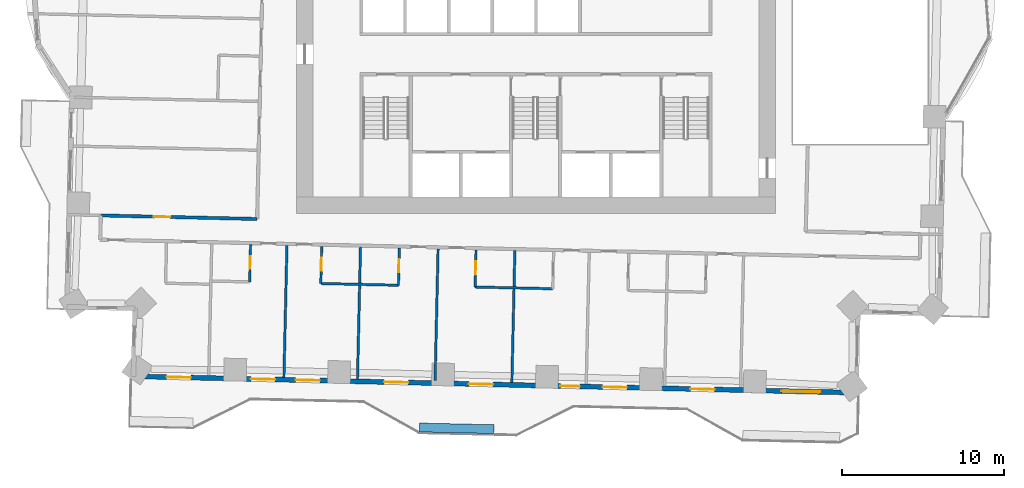
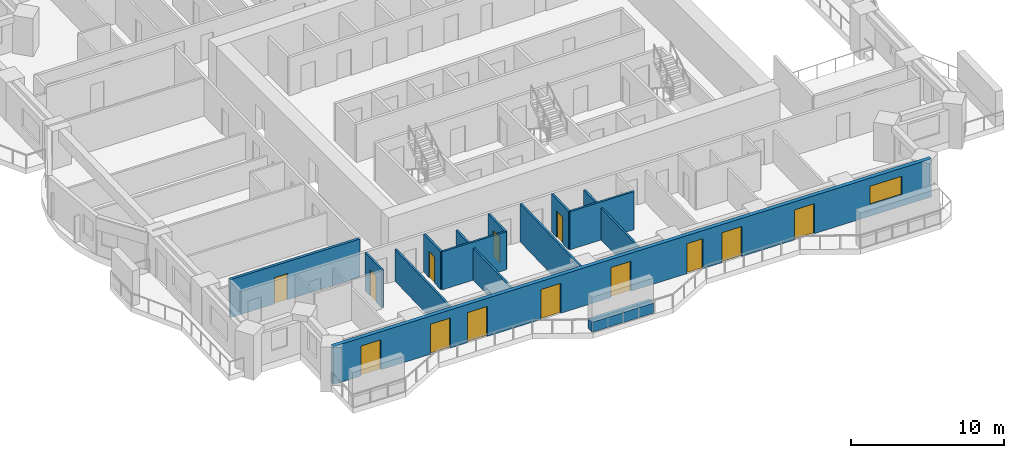
# One storey, part 6 of 16: 13 doors, 13 walls, 1 window, 14 openings.
"""IFC4 building model written with IfcOpenShell, lengths in metres."""

from ifc_helpers import new_model, si_unit, direction, frame, frame_2d, origin, place, context, subcontext, project, spatial, rectangle, extrude, material, layer, layer_set, type_object, element, fill, save


model = new_model("IFC4")

# Units and contexts
model_context = context("Model", 3, precision=1e-05, world=origin(), true_north=direction((0.0, 1.0)))
body_context = subcontext(model_context, "Body", "Model", "MODEL_VIEW")
ifc_project = project(units=[si_unit("LENGTHUNIT", "METRE"), si_unit("AREAUNIT", "SQUARE_METRE"), si_unit("VOLUMEUNIT", "CUBIC_METRE"), si_unit("PLANEANGLEUNIT", "RADIAN"), si_unit("MASSUNIT", "GRAM", prefix="KILO")], contexts=[model_context])

# Site, building, storey
site_placement = place(None, origin())
site = spatial("IfcSite", under=ifc_project, at=site_placement, CompositionType="ELEMENT")
building_placement = place(site_placement, origin())
building = spatial("IfcBuilding", under=site, at=building_placement, Name="Mangrove Gate Tower", CompositionType="ELEMENT")
storey_placement = place(building_placement, frame((0.0, 0.0, 105.5)))
storey = spatial("IfcBuildingStorey", under=building, at=storey_placement, Name="L26", CompositionType="ELEMENT", Elevation=105.5)

# Wall, opening, door
ifc_material_1 = material(Name="Gypsum board on steel stud, EI 60", Category="steel")
ifc_layer_1 = layer(ifc_material_1, 0.199951171875)
ifc_layer_set_1 = layer_set([ifc_layer_1], Name="Corridor wall EI 60")
wall_type_1 = type_object("IfcWallType", Name="Corridor wall EI 60", PredefinedType="PARTITIONING", material=ifc_layer_set_1)
wall_1_placement = place(storey_placement, frame((-26.9189453125, -11.928955078125, 0.0), z_axis=(0.0, 0.0, 1.0), x_axis=(0.999741418429, -0.022739751035, 0.0)))
wall_1 = element("IfcWall", 1, at=wall_1_placement, inside=storey, type_object=wall_type_1, Name="WALL-L26-026", PredefinedType="PARTITIONING", context=body_context, shape_type="SweptSolid", body=[
    extrude(rectangle(XDim=9.67333984375, YDim=0.199951171875, at=frame_2d((4.836669921875, 0.0))), origin(), (0.0, 0.0, 1.0), 3.050048828125),
])
opening_1_placement = place(wall_1_placement, frame((3.287109375, 0.0, 0.0)))
opening_1 = element("IfcOpeningElement", 2, at=opening_1_placement, cuts=wall_1, Name="Opening AD", PredefinedType="OPENING", context=body_context, shape_type="SweptSolid", body=[
    extrude(rectangle(XDim=1.0, YDim=2.10009765625, at=frame_2d((0.5, 1.050048828125))), frame((0.0, 0.10986328125, 0.0), z_axis=(0.0, -1.0, 0.0), x_axis=(1.0, 0.0, 0.0)), (0.0, 0.0, 1.0), 0.219970703125),
])
ifc_material_2 = material(Name="Timber door leaf", Category="wood")
door_type_1 = type_object("IfcDoorType", Name="Amenity door 1000", OperationType="SINGLE_SWING_LEFT", PredefinedType="DOOR", material=ifc_material_2)
door_1_placement = place(opening_1_placement, origin())
door_1 = element("IfcDoor", 3, at=door_1_placement, inside=storey, type_object=door_type_1, Name="DOOR-L26-LNG-c5a", OperationType="SINGLE_SWING_RIGHT", OverallHeight=2.10009765625, OverallWidth=1.0, PredefinedType="DOOR", context=body_context, shape_type="SweptSolid", body=[
    extrude(rectangle(XDim=1.0, YDim=2.10009765625, at=frame_2d((0.5, 1.050048828125))), frame((0.0, 0.02490234375, 0.0), z_axis=(0.0, -1.0, 0.0), x_axis=(1.0, 0.0, 0.0)), (0.0, 0.0, 1.0), 0.050048828125),
])
fill(opening_1, door_1)

# Wall, openings, doors, window
ifc_material_3 = material(Name="Limestone", Category="masonry")
ifc_layer_2 = layer(ifc_material_3, 0.0400390625, Name="Limestone cladding")
ifc_material_4 = material(Name="Ventilated air gap")
ifc_layer_3 = layer(ifc_material_4, 0.0400390625, Name="Ventilated cavity")
ifc_material_5 = material(Name="Mineral wool insulation")
ifc_layer_4 = layer(ifc_material_5, 0.06005859375, Name="Insulation")
ifc_material_6 = material(Name="Breather membrane")
ifc_layer_5 = layer(ifc_material_6, 0.001953125, Name="Breather membrane")
ifc_material_7 = material(Name="Concrete C20/25 blockwork", Category="masonry")
ifc_layer_6 = layer(ifc_material_7, 0.14990234375, Name="Blockwork backing wall")
ifc_material_8 = material(Name="Gypsum plaster")
ifc_layer_7 = layer(ifc_material_8, 0.008056640625, Name="Internal plaster")
ifc_layer_set_2 = layer_set([ifc_layer_2, ifc_layer_3, ifc_layer_4, ifc_layer_5, ifc_layer_6, ifc_layer_7], Name="External wall 300 limestone cladding")
wall_type_2 = type_object("IfcWallType", Name="External wall 300 limestone cladding", PredefinedType="SOLIDWALL", material=ifc_layer_set_2)
wall_2_placement = place(storey_placement, frame((-24.89404296875, -21.8779296875, 0.0), z_axis=(0.0, 0.0, 1.0), x_axis=(0.999742689045, -0.022683820265, 0.0)))
wall_2 = element("IfcWall", 4, at=wall_2_placement, inside=storey, type_object=wall_type_2, Name="WALL-L26-S13", PredefinedType="SOLIDWALL", context=body_context, shape_type="SweptSolid", body=[
    extrude(rectangle(XDim=44.70849609375, YDim=0.300048828125, at=frame_2d((22.354248046875, 0.0))), origin(), (0.0, 0.0, 1.0), 3.050048828125),
])
opening_2_placement = place(wall_2_placement, frame((2.051025390625, 0.0, 0.0)))
opening_2 = element("IfcOpeningElement", 5, at=opening_2_placement, cuts=wall_2, Name="Opening BD1", PredefinedType="OPENING", context=body_context, shape_type="SweptSolid", body=[
    extrude(rectangle(XDim=1.5, YDim=2.39990234375, at=frame_2d((0.75, 1.199951171875))), frame((0.0, 0.159912109375, 0.0), z_axis=(0.0, -1.0, 0.0), x_axis=(1.0, 0.0, 0.0)), (0.0, 0.0, 1.0), 0.320068359375),
])
opening_3_placement = place(wall_2_placement, frame((7.264892578125, 0.0, 0.0)))
opening_3 = element("IfcOpeningElement", 6, at=opening_3_placement, cuts=wall_2, Name="Opening BD1", PredefinedType="OPENING", context=body_context, shape_type="SweptSolid", body=[
    extrude(rectangle(XDim=1.5, YDim=2.39990234375, at=frame_2d((0.75, 1.199951171875))), frame((0.0, 0.159912109375, 0.0), z_axis=(0.0, -1.0, 0.0), x_axis=(1.0, 0.0, 0.0)), (0.0, 0.0, 1.0), 0.320068359375),
])
opening_4_placement = place(wall_2_placement, frame((10.030029296875, 0.0, 0.0)))
opening_4 = element("IfcOpeningElement", 7, at=opening_4_placement, cuts=wall_2, Name="Opening BD1", PredefinedType="OPENING", context=body_context, shape_type="SweptSolid", body=[
    extrude(rectangle(XDim=1.5, YDim=2.39990234375, at=frame_2d((0.75, 1.199951171875))), frame((0.0, 0.159912109375, 0.0), z_axis=(0.0, -1.0, 0.0), x_axis=(1.0, 0.0, 0.0)), (0.0, 0.0, 1.0), 0.320068359375),
])
opening_5_placement = place(wall_2_placement, frame((15.5, 0.0, 0.0)))
opening_5 = element("IfcOpeningElement", 8, at=opening_5_placement, cuts=wall_2, Name="Opening BD1", PredefinedType="OPENING", context=body_context, shape_type="SweptSolid", body=[
    extrude(rectangle(XDim=1.5, YDim=2.39990234375, at=frame_2d((0.75, 1.199951171875))), frame((0.0, 0.159912109375, 0.0), z_axis=(0.0, -1.0, 0.0), x_axis=(1.0, 0.0, 0.0)), (0.0, 0.0, 1.0), 0.320068359375),
])
opening_6_placement = place(wall_2_placement, frame((20.7451171875, 0.0, 0.0)))
opening_6 = element("IfcOpeningElement", 9, at=opening_6_placement, cuts=wall_2, Name="Opening BD1", PredefinedType="OPENING", context=body_context, shape_type="SweptSolid", body=[
    extrude(rectangle(XDim=1.5, YDim=2.39990234375, at=frame_2d((0.75, 1.199951171875))), frame((0.0, 0.159912109375, 0.0), z_axis=(0.0, -1.0, 0.0), x_axis=(1.0, 0.0, 0.0)), (0.0, 0.0, 1.0), 0.320068359375),
])
opening_7_placement = place(wall_2_placement, frame((26.409912109375, 0.0, 0.0)))
opening_7 = element("IfcOpeningElement", 10, at=opening_7_placement, cuts=wall_2, Name="Opening BD2", PredefinedType="OPENING", context=body_context, shape_type="SweptSolid", body=[
    extrude(rectangle(XDim=1.199951171875, YDim=2.39990234375, at=frame_2d((0.60009765625, 1.199951171875))), frame((0.0, 0.159912109375, 0.0), z_axis=(0.0, -1.0, 0.0), x_axis=(1.0, 0.0, 0.0)), (0.0, 0.0, 1.0), 0.320068359375),
])
opening_8_placement = place(wall_2_placement, frame((29.02392578125, 0.0, 0.0)))
opening_8 = element("IfcOpeningElement", 11, at=opening_8_placement, cuts=wall_2, Name="Opening BD1", PredefinedType="OPENING", context=body_context, shape_type="SweptSolid", body=[
    extrude(rectangle(XDim=1.5, YDim=2.39990234375, at=frame_2d((0.75, 1.199951171875))), frame((0.0, 0.159912109375, 0.0), z_axis=(0.0, -1.0, 0.0), x_axis=(1.0, 0.0, 0.0)), (0.0, 0.0, 1.0), 0.320068359375),
])
opening_9_placement = place(wall_2_placement, frame((34.449951171875, 0.0, 0.0)))
opening_9 = element("IfcOpeningElement", 12, at=opening_9_placement, cuts=wall_2, Name="Opening BD1", PredefinedType="OPENING", context=body_context, shape_type="SweptSolid", body=[
    extrude(rectangle(XDim=1.5, YDim=2.39990234375, at=frame_2d((0.75, 1.199951171875))), frame((0.0, 0.159912109375, 0.0), z_axis=(0.0, -1.0, 0.0), x_axis=(1.0, 0.0, 0.0)), (0.0, 0.0, 1.0), 0.320068359375),
])
opening_10_placement = place(wall_2_placement, frame((40.0869140625, 0.0, 0.89990234375)))
opening_10 = element("IfcOpeningElement", 13, at=opening_10_placement, cuts=wall_2, Name="Opening W2", PredefinedType="OPENING", context=body_context, shape_type="SweptSolid", body=[
    extrude(rectangle(XDim=2.39990234375, YDim=1.5, at=frame_2d((1.199951171875, 0.75))), frame((0.0, 0.159912109375, 0.0), z_axis=(0.0, -1.0, 0.0), x_axis=(1.0, 0.0, 0.0)), (0.0, 0.0, 1.0), 0.320068359375),
])
ifc_material_9 = material(Name="Aluminium frame with laminated clear glass", Category="aluminium")
door_type_2 = type_object("IfcDoorType", Name="Balcony sliding door 1200x2400", OperationType="SLIDING_TO_LEFT", PredefinedType="DOOR", material=ifc_material_9)
door_2_placement = place(opening_7_placement, origin())
door_2 = element("IfcDoor", 14, at=door_2_placement, inside=storey, type_object=door_type_2, Name="DOOR-L26-S13-6", OperationType="SLIDING_TO_LEFT", OverallHeight=2.39990234375, OverallWidth=1.199951171875, PredefinedType="DOOR", context=body_context, shape_type="SweptSolid", body=[
    extrude(rectangle(XDim=1.199951171875, YDim=2.39990234375, at=frame_2d((0.60009765625, 1.199951171875))), frame((0.0, 0.02490234375, 0.0), z_axis=(0.0, -1.0, 0.0), x_axis=(1.0, 0.0, 0.0)), (0.0, 0.0, 1.0), 0.050048828125),
])
fill(opening_7, door_2)
ifc_material_10 = material(Name="Aluminium frame with laminated clear glass", Category="aluminium")
door_type_3 = type_object("IfcDoorType", Name="Balcony sliding door 1500x2400", OperationType="SLIDING_TO_LEFT", PredefinedType="DOOR", material=ifc_material_10)
door_3_placement = place(opening_2_placement, origin())
door_3 = element("IfcDoor", 15, at=door_3_placement, inside=storey, type_object=door_type_3, Name="DOOR-L26-S13-1", OperationType="SLIDING_TO_LEFT", OverallHeight=2.39990234375, OverallWidth=1.5, PredefinedType="DOOR", context=body_context, shape_type="SweptSolid", body=[
    extrude(rectangle(XDim=1.5, YDim=2.39990234375, at=frame_2d((0.75, 1.199951171875))), frame((0.0, 0.02490234375, 0.0), z_axis=(0.0, -1.0, 0.0), x_axis=(1.0, 0.0, 0.0)), (0.0, 0.0, 1.0), 0.050048828125),
])
fill(opening_2, door_3)
door_4_placement = place(opening_3_placement, origin())
door_4 = element("IfcDoor", 16, at=door_4_placement, inside=storey, type_object=door_type_3, Name="DOOR-L26-S13-2", OperationType="SLIDING_TO_LEFT", OverallHeight=2.39990234375, OverallWidth=1.5, PredefinedType="DOOR", context=body_context, shape_type="SweptSolid", body=[
    extrude(rectangle(XDim=1.5, YDim=2.39990234375, at=frame_2d((0.75, 1.199951171875))), frame((0.0, 0.02490234375, 0.0), z_axis=(0.0, -1.0, 0.0), x_axis=(1.0, 0.0, 0.0)), (0.0, 0.0, 1.0), 0.050048828125),
])
fill(opening_3, door_4)
door_5_placement = place(opening_4_placement, origin())
door_5 = element("IfcDoor", 17, at=door_5_placement, inside=storey, type_object=door_type_3, Name="DOOR-L26-S13-3", OperationType="SLIDING_TO_LEFT", OverallHeight=2.39990234375, OverallWidth=1.5, PredefinedType="DOOR", context=body_context, shape_type="SweptSolid", body=[
    extrude(rectangle(XDim=1.5, YDim=2.39990234375, at=frame_2d((0.75, 1.199951171875))), frame((0.0, 0.02490234375, 0.0), z_axis=(0.0, -1.0, 0.0), x_axis=(1.0, 0.0, 0.0)), (0.0, 0.0, 1.0), 0.050048828125),
])
fill(opening_4, door_5)
door_6_placement = place(opening_5_placement, origin())
door_6 = element("IfcDoor", 18, at=door_6_placement, inside=storey, type_object=door_type_3, Name="DOOR-L26-S13-4", OperationType="SLIDING_TO_LEFT", OverallHeight=2.39990234375, OverallWidth=1.5, PredefinedType="DOOR", context=body_context, shape_type="SweptSolid", body=[
    extrude(rectangle(XDim=1.5, YDim=2.39990234375, at=frame_2d((0.75, 1.199951171875))), frame((0.0, 0.02490234375, 0.0), z_axis=(0.0, -1.0, 0.0), x_axis=(1.0, 0.0, 0.0)), (0.0, 0.0, 1.0), 0.050048828125),
])
fill(opening_5, door_6)
door_7_placement = place(opening_6_placement, origin())
door_7 = element("IfcDoor", 19, at=door_7_placement, inside=storey, type_object=door_type_3, Name="DOOR-L26-S13-5", OperationType="SLIDING_TO_LEFT", OverallHeight=2.39990234375, OverallWidth=1.5, PredefinedType="DOOR", context=body_context, shape_type="SweptSolid", body=[
    extrude(rectangle(XDim=1.5, YDim=2.39990234375, at=frame_2d((0.75, 1.199951171875))), frame((0.0, 0.02490234375, 0.0), z_axis=(0.0, -1.0, 0.0), x_axis=(1.0, 0.0, 0.0)), (0.0, 0.0, 1.0), 0.050048828125),
])
fill(opening_6, door_7)
door_8_placement = place(opening_8_placement, origin())
door_8 = element("IfcDoor", 20, at=door_8_placement, inside=storey, type_object=door_type_3, Name="DOOR-L26-S13-7", OperationType="SLIDING_TO_LEFT", OverallHeight=2.39990234375, OverallWidth=1.5, PredefinedType="DOOR", context=body_context, shape_type="SweptSolid", body=[
    extrude(rectangle(XDim=1.5, YDim=2.39990234375, at=frame_2d((0.75, 1.199951171875))), frame((0.0, 0.02490234375, 0.0), z_axis=(0.0, -1.0, 0.0), x_axis=(1.0, 0.0, 0.0)), (0.0, 0.0, 1.0), 0.050048828125),
])
fill(opening_8, door_8)
door_9_placement = place(opening_9_placement, origin())
door_9 = element("IfcDoor", 21, at=door_9_placement, inside=storey, type_object=door_type_3, Name="DOOR-L26-S13-8", OperationType="SLIDING_TO_LEFT", OverallHeight=2.39990234375, OverallWidth=1.5, PredefinedType="DOOR", context=body_context, shape_type="SweptSolid", body=[
    extrude(rectangle(XDim=1.5, YDim=2.39990234375, at=frame_2d((0.75, 1.199951171875))), frame((0.0, 0.02490234375, 0.0), z_axis=(0.0, -1.0, 0.0), x_axis=(1.0, 0.0, 0.0)), (0.0, 0.0, 1.0), 0.050048828125),
])
fill(opening_9, door_9)
ifc_material_11 = material(Name="Aluminium frame with double-glazed low-e glass", Category="aluminium")
window_type = type_object("IfcWindowType", Name="Corner room window 2400x1500", PartitioningType="DOUBLE_PANEL_VERTICAL", PredefinedType="WINDOW", material=ifc_material_11)
window_placement = place(opening_10_placement, origin())
window = element("IfcWindow", 22, at=window_placement, inside=storey, type_object=window_type, Name="WIN-L26-S13-9", OverallHeight=1.5, OverallWidth=2.39990234375, PartitioningType="DOUBLE_PANEL_VERTICAL", PredefinedType="WINDOW", context=body_context, shape_type="SweptSolid", body=[
    extrude(rectangle(XDim=2.39990234375, YDim=1.5, at=frame_2d((1.199951171875, 0.75))), frame((0.0, 0.030029296875, 0.0), z_axis=(0.0, -1.0, 0.0), x_axis=(1.0, 0.0, 0.0)), (0.0, 0.0, 1.0), 0.06005859375),
])
fill(opening_10, window)

# Walls
ifc_material_12 = material(Name="Gypsum board on steel stud, EI 60", Category="steel")
ifc_layer_8 = layer(ifc_material_12, 0.14990234375)
ifc_layer_set_3 = layer_set([ifc_layer_8], Name="Party wall 150 EI 60")
wall_type_3 = type_object("IfcWallType", Name="Party wall 150 EI 60", PredefinedType="PARTITIONING", material=ifc_layer_set_3)
for number, where, z_axis, x_axis, name in (
    (23, (-15.589111328125, -21.93896484375, 0.0), (0.0, 0.0, 1.0), (0.022706435224, 0.999742175663, 0.0), "WALL-L26-002"),
    (24, (-11.0400390625, -22.0419921875, 0.0), (0.0, 0.0, 1.0), (0.022706435224, 0.999742175663, 0.0), "WALL-L26-003"),
):
    element("IfcWall", number, at=place(storey_placement, frame(where, z_axis=z_axis, x_axis=x_axis)), inside=storey, type_object=wall_type_3, Name=name, PredefinedType="PARTITIONING", context=body_context, shape_type="SweptSolid", body=[
        extrude(rectangle(XDim=8.150146484375, YDim=0.14990234375, at=frame_2d((4.0751953125, 0.0))), origin(), (0.0, 0.0, 1.0), 2.550048828125),
    ])
wall_3_placement = place(storey_placement, frame((-6.240966796875, -22.15087890625, 0.0), z_axis=(0.0, 0.0, 1.0), x_axis=(0.022706435224, 0.999742175663, 0.0)))
element("IfcWall", 25, at=wall_3_placement, inside=storey, type_object=wall_type_3, Name="WALL-L26-004", PredefinedType="PARTITIONING", context=body_context, shape_type="SweptSolid", body=[
    extrude(rectangle(XDim=8.150146484375, YDim=0.14990234375, at=frame_2d((4.0751953125, 0.0))), origin(), (0.0, 0.0, 1.0), 3.050048828125),
])
wall_4_placement = place(storey_placement, frame((-1.491943359375, -22.259033203125, 0.0), z_axis=(0.0, 0.0, 1.0), x_axis=(0.022706435224, 0.999742175663, 0.0)))
element("IfcWall", 26, at=wall_4_placement, inside=storey, type_object=wall_type_3, Name="WALL-L26-005", PredefinedType="PARTITIONING", context=body_context, shape_type="SweptSolid", body=[
    extrude(rectangle(XDim=8.150146484375, YDim=0.14990234375, at=frame_2d((4.0751953125, 0.0))), origin(), (0.0, 0.0, 1.0), 2.550048828125),
])

# Wall, opening, door
wall_5_placement = place(storey_placement, frame((-17.705078125, -16.0390625, 0.0), z_axis=(0.0, 0.0, 1.0), x_axis=(0.022612884682, 0.999744296031, 0.0)))
wall_5 = element("IfcWall", 27, at=wall_5_placement, inside=storey, type_object=wall_type_3, Name="WALL-L26-012", PredefinedType="PARTITIONING", context=body_context, shape_type="SweptSolid", body=[
    extrude(rectangle(XDim=2.299560546875, YDim=0.14990234375, at=frame_2d((1.14990234375, 0.0))), origin(), (0.0, 0.0, 1.0), 3.050048828125),
])
opening_11_placement = place(wall_5_placement, frame((0.800048828125, 0.0, 0.0)))
opening_11 = element("IfcOpeningElement", 28, at=opening_11_placement, cuts=wall_5, Name="Opening ED", PredefinedType="OPENING", context=body_context, shape_type="SweptSolid", body=[
    extrude(rectangle(XDim=0.800048828125, YDim=2.10009765625, at=frame_2d((0.39990234375, 1.050048828125))), frame((0.0, 0.0849609375, 0.0), z_axis=(0.0, -1.0, 0.0), x_axis=(1.0, 0.0, 0.0)), (0.0, 0.0, 1.0), 0.169921875),
])
ifc_material_13 = material(Name="Timber door leaf", Category="wood")
door_type_4 = type_object("IfcDoorType", Name="En-suite door 800", OperationType="SINGLE_SWING_LEFT", PredefinedType="DOOR", material=ifc_material_13)
door_10_placement = place(opening_11_placement, origin())
door_10 = element("IfcDoor", 29, at=door_10_placement, inside=storey, type_object=door_type_4, Name="DOOR-L26-ENS-c101", OperationType="SINGLE_SWING_LEFT", OverallHeight=2.10009765625, OverallWidth=0.800048828125, PredefinedType="DOOR", context=body_context, shape_type="SweptSolid", body=[
    extrude(rectangle(XDim=0.800048828125, YDim=2.10009765625, at=frame_2d((0.39990234375, 1.050048828125))), frame((0.0, 0.02490234375, 0.0), z_axis=(0.0, -1.0, 0.0), x_axis=(1.0, 0.0, 0.0)), (0.0, 0.0, 1.0), 0.050048828125),
])
fill(opening_11, door_10)

# Wall
wall_6_placement = place(storey_placement, frame((-13.31103515625, -16.138916015625, 0.0), z_axis=(0.0, 0.0, 1.0), x_axis=(0.99974154664, -0.022734113616, 0.0)))
element("IfcWall", 30, at=wall_6_placement, inside=storey, type_object=wall_type_3, Name="WALL-L26-013", PredefinedType="PARTITIONING", context=body_context, shape_type="SweptSolid", body=[
    extrude(rectangle(XDim=4.80029296875, YDim=0.14990234375, at=frame_2d((2.400146484375, 0.0))), origin(), (0.0, 0.0, 1.0), 3.050048828125),
])

# Wall, opening, door
wall_7_placement = place(storey_placement, frame((-13.306884765625, -16.138916015625, 0.0), z_axis=(0.0, 0.0, 1.0), x_axis=(0.023039761813, 0.999734549456, 0.0)))
wall_7 = element("IfcWall", 31, at=wall_7_placement, inside=storey, type_object=wall_type_3, Name="WALL-L26-014", PredefinedType="PARTITIONING", context=body_context, shape_type="SweptSolid", body=[
    extrude(rectangle(XDim=2.299560546875, YDim=0.14990234375, at=frame_2d((1.14990234375, 0.0))), origin(), (0.0, 0.0, 1.0), 3.050048828125),
])
opening_12_placement = place(wall_7_placement, frame((0.800048828125, 0.0, 0.0)))
opening_12 = element("IfcOpeningElement", 32, at=opening_12_placement, cuts=wall_7, Name="Opening ED", PredefinedType="OPENING", context=body_context, shape_type="SweptSolid", body=[
    extrude(rectangle(XDim=0.800048828125, YDim=2.10009765625, at=frame_2d((0.39990234375, 1.050048828125))), frame((0.0, 0.0849609375, 0.0), z_axis=(0.0, -1.0, 0.0), x_axis=(1.0, 0.0, 0.0)), (0.0, 0.0, 1.0), 0.169921875),
])
door_11_placement = place(opening_12_placement, origin())
door_11 = element("IfcDoor", 33, at=door_11_placement, inside=storey, type_object=door_type_4, Name="DOOR-L26-ENS-c102", OperationType="SINGLE_SWING_RIGHT", OverallHeight=2.10009765625, OverallWidth=0.800048828125, PredefinedType="DOOR", context=body_context, shape_type="SweptSolid", body=[
    extrude(rectangle(XDim=0.800048828125, YDim=2.10009765625, at=frame_2d((0.39990234375, 1.050048828125))), frame((0.0, 0.02490234375, 0.0), z_axis=(0.0, -1.0, 0.0), x_axis=(1.0, 0.0, 0.0)), (0.0, 0.0, 1.0), 0.050048828125),
])
fill(opening_12, door_11)

wall_8_placement = place(storey_placement, frame((-8.508056640625, -16.248046875, 0.0), z_axis=(0.0, 0.0, 1.0), x_axis=(0.022603288534, 0.999744513037, 0.0)))
wall_8 = element("IfcWall", 34, at=wall_8_placement, inside=storey, type_object=wall_type_3, Name="WALL-L26-015", PredefinedType="PARTITIONING", context=body_context, shape_type="SweptSolid", body=[
    extrude(rectangle(XDim=2.300537109375, YDim=0.14990234375, at=frame_2d((1.150390625, 0.0))), origin(), (0.0, 0.0, 1.0), 3.050048828125),
])
opening_13_placement = place(wall_8_placement, frame((0.800048828125, 0.0, 0.0)))
opening_13 = element("IfcOpeningElement", 35, at=opening_13_placement, cuts=wall_8, Name="Opening ED", PredefinedType="OPENING", context=body_context, shape_type="SweptSolid", body=[
    extrude(rectangle(XDim=0.800048828125, YDim=2.10009765625, at=frame_2d((0.39990234375, 1.050048828125))), frame((0.0, 0.0849609375, 0.0), z_axis=(0.0, -1.0, 0.0), x_axis=(1.0, 0.0, 0.0)), (0.0, 0.0, 1.0), 0.169921875),
])
door_12_placement = place(opening_13_placement, origin())
door_12 = element("IfcDoor", 36, at=door_12_placement, inside=storey, type_object=door_type_4, Name="DOOR-L26-ENS-c103", OperationType="SINGLE_SWING_LEFT", OverallHeight=2.10009765625, OverallWidth=0.800048828125, PredefinedType="DOOR", context=body_context, shape_type="SweptSolid", body=[
    extrude(rectangle(XDim=0.800048828125, YDim=2.10009765625, at=frame_2d((0.39990234375, 1.050048828125))), frame((0.0, 0.02490234375, 0.0), z_axis=(0.0, -1.0, 0.0), x_axis=(1.0, 0.0, 0.0)), (0.0, 0.0, 1.0), 0.050048828125),
])
fill(opening_13, door_12)

# Wall
wall_9_placement = place(storey_placement, frame((-3.762939453125, -16.35595703125, 0.0), z_axis=(0.0, 0.0, 1.0), x_axis=(0.999746123934, -0.022531925768, 0.0)))
element("IfcWall", 37, at=wall_9_placement, inside=storey, type_object=wall_type_3, Name="WALL-L26-016", PredefinedType="PARTITIONING", context=body_context, shape_type="SweptSolid", body=[
    extrude(rectangle(XDim=4.800048828125, YDim=0.14990234375, at=frame_2d((2.39990234375, 0.0))), origin(), (0.0, 0.0, 1.0), 3.050048828125),
])

# Wall, opening, door
wall_10_placement = place(storey_placement, frame((-3.759033203125, -16.35595703125, 0.0), z_axis=(0.0, 0.0, 1.0), x_axis=(0.022603288534, 0.999744513037, 0.0)))
wall_10 = element("IfcWall", 38, at=wall_10_placement, inside=storey, type_object=wall_type_3, Name="WALL-L26-017", PredefinedType="PARTITIONING", context=body_context, shape_type="SweptSolid", body=[
    extrude(rectangle(XDim=2.300537109375, YDim=0.14990234375, at=frame_2d((1.150390625, 0.0))), origin(), (0.0, 0.0, 1.0), 3.050048828125),
])
opening_14_placement = place(wall_10_placement, frame((0.800048828125, 0.0, 0.0)))
opening_14 = element("IfcOpeningElement", 39, at=opening_14_placement, cuts=wall_10, Name="Opening ED", PredefinedType="OPENING", context=body_context, shape_type="SweptSolid", body=[
    extrude(rectangle(XDim=0.800048828125, YDim=2.10009765625, at=frame_2d((0.39990234375, 1.050048828125))), frame((0.0, 0.0849609375, 0.0), z_axis=(0.0, -1.0, 0.0), x_axis=(1.0, 0.0, 0.0)), (0.0, 0.0, 1.0), 0.169921875),
])
door_13_placement = place(opening_14_placement, origin())
door_13 = element("IfcDoor", 40, at=door_13_placement, inside=storey, type_object=door_type_4, Name="DOOR-L26-ENS-c204", OperationType="SINGLE_SWING_RIGHT", OverallHeight=2.10009765625, OverallWidth=0.800048828125, PredefinedType="DOOR", context=body_context, shape_type="SweptSolid", body=[
    extrude(rectangle(XDim=0.800048828125, YDim=2.10009765625, at=frame_2d((0.39990234375, 1.050048828125))), frame((0.0, 0.02490234375, 0.0), z_axis=(0.0, -1.0, 0.0), x_axis=(1.0, 0.0, 0.0)), (0.0, 0.0, 1.0), 0.050048828125),
])
fill(opening_14, door_13)

# Wall
ifc_material_14 = material(Name="Concrete C32/40", Category="concrete")
ifc_layer_9 = layer(ifc_material_14, 0.199951171875, Name="Planter trough wall")
ifc_material_15 = material(Name="Bituminous waterproofing membrane")
ifc_layer_10 = layer(ifc_material_15, 0.0048828125, Name="Waterproofing")
ifc_material_16 = material(Name="Drainage board and gravel")
ifc_layer_11 = layer(ifc_material_16, 0.044921875, Name="Drainage layer")
ifc_material_17 = material(Name="Planting soil")
ifc_layer_12 = layer(ifc_material_17, 0.300048828125, Name="Growing medium")
ifc_layer_set_4 = layer_set([ifc_layer_9, ifc_layer_10, ifc_layer_11, ifc_layer_12], Name="Planter wall 550 C32/40")
wall_type_4 = type_object("IfcWallType", Name="Planter wall 550 C32/40", PredefinedType="USERDEFINED", material=ifc_layer_set_4)
wall_11_placement = place(storey_placement, frame((-7.20703125, -25.044921875, 0.0), z_axis=(0.0, 0.0, 1.0), x_axis=(0.999744296031, -0.022612884682, 0.0)))
element("IfcWall", 41, at=wall_11_placement, inside=storey, type_object=wall_type_4, Name="PLANTER L26 S0.2", ObjectType="PLANTER", PredefinedType="USERDEFINED", context=body_context, shape_type="SweptSolid", body=[
    extrude(rectangle(XDim=4.599365234375, YDim=0.550048828125, at=frame_2d((2.2998046875, 0.0))), origin(), (0.0, 0.0, 1.0), 0.800048828125),
])

save(model, "model.ifc")
